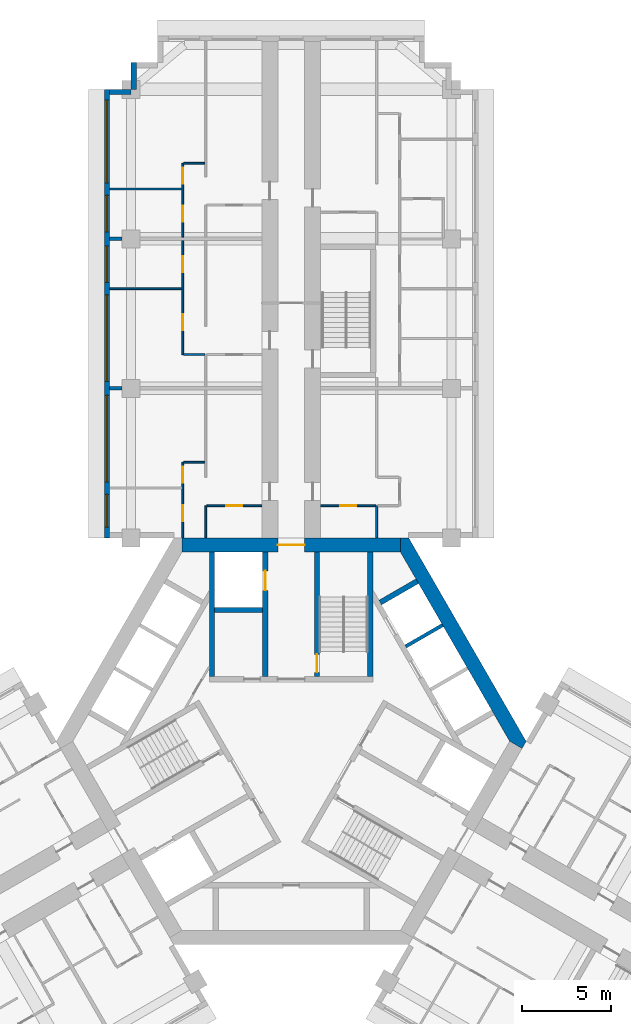
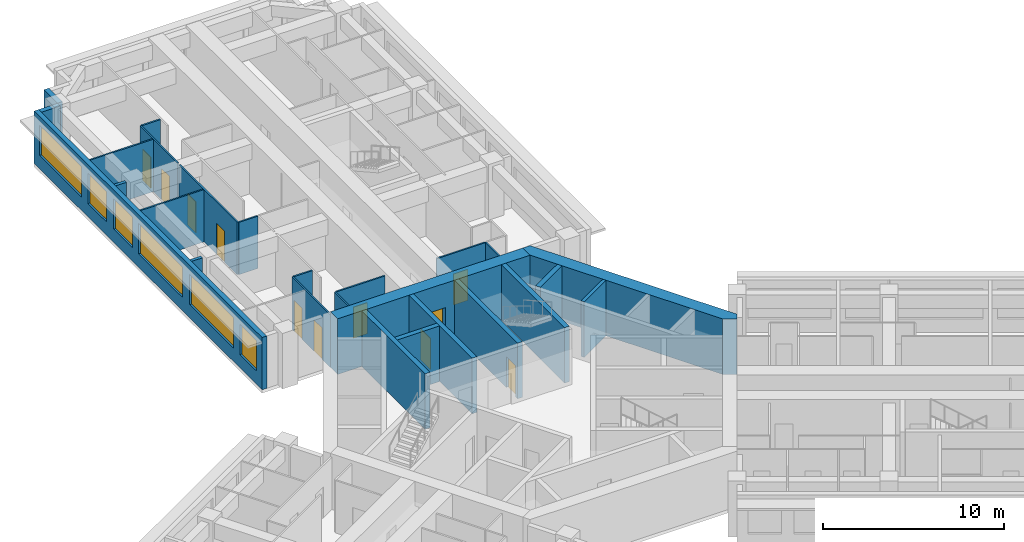
# One storey, part 8 of 12: 26 walls, 11 doors, 6 windows, 17 openings.
"""IFC4 building model written with IfcOpenShell, lengths in metres."""

from ifc_helpers import new_model, si_unit, direction, frame, frame_2d, origin, place, context, subcontext, project, spatial, polyline, rectangle, outline, extrude, material, layer, layer_set, type_object, element, fill, save


model = new_model("IFC4")

# Units and contexts
model_context = context("Model", 3, precision=1e-05, world=origin(), true_north=direction((0.0, 1.0)))
body_context = subcontext(model_context, "Body", "Model", "MODEL_VIEW")
ifc_project = project(units=[si_unit("LENGTHUNIT", "METRE"), si_unit("AREAUNIT", "SQUARE_METRE"), si_unit("VOLUMEUNIT", "CUBIC_METRE"), si_unit("PLANEANGLEUNIT", "RADIAN"), si_unit("MASSUNIT", "GRAM", prefix="KILO")], contexts=[model_context])

# Site, building, storey
site_placement = place(None, origin())
site = spatial("IfcSite", under=ifc_project, at=site_placement, CompositionType="ELEMENT")
building_placement = place(site_placement, origin())
building = spatial("IfcBuilding", under=site, at=building_placement, Name="Impinga Residences", CompositionType="ELEMENT")
storey_placement = place(building_placement, frame((0.0, 0.0, 166.0)))
storey = spatial("IfcBuildingStorey", under=building, at=storey_placement, Name="L41", CompositionType="ELEMENT", Elevation=166.0)

# Wall, openings, windows
ifc_material_1 = material(Name="Terracotta rainscreen on blockwork", Category="masonry")
ifc_layer_1 = layer(ifc_material_1, 0.300048828125)
ifc_layer_set_1 = layer_set([ifc_layer_1], Name="EW1 external wall, terracotta rainscreen on blockwork 300")
wall_type_1 = type_object("IfcWallType", Name="EW1 external wall, terracotta rainscreen on blockwork 300", PredefinedType="SOLIDWALL", material=ifc_layer_set_1)
wall_1_placement = place(storey_placement, frame((-10.35009765625, 11.431640625, 0.0), z_axis=(0.0, 0.0, 1.0), x_axis=(0.0, 1.0, 0.0)))
wall_1 = element("IfcWall", 1, at=wall_1_placement, inside=storey, type_object=wall_type_1, Name="External wall EW1 L41", PredefinedType="SOLIDWALL", context=body_context, shape_type="SweptSolid", body=[
    extrude(rectangle(XDim=25.199951171875, YDim=0.300048828125, at=frame_2d((12.60009765625, 0.0))), origin(), (0.0, 0.0, 1.0), 3.530029296875),
])
opening_1_placement = place(wall_1_placement, frame((0.60009765625, 0.0, 0.89990234375)))
opening_1 = element("IfcOpeningElement", 2, at=opening_1_placement, cuts=wall_1, Name="Opening W15", PredefinedType="OPENING", context=body_context, shape_type="SweptSolid", body=[
    extrude(rectangle(XDim=1.85009765625, YDim=2.050048828125, at=frame_2d((0.925048828125, 1.02490234375))), frame((0.0, 0.159912109375, 0.0), z_axis=(0.0, -1.0, 0.0), x_axis=(1.0, 0.0, 0.0)), (0.0, 0.0, 1.0), 0.320068359375),
])
opening_2_placement = place(wall_1_placement, frame((3.14990234375, 0.0, 0.89990234375)))
opening_2 = element("IfcOpeningElement", 3, at=opening_2_placement, cuts=wall_1, Name="Opening W6", PredefinedType="OPENING", context=body_context, shape_type="SweptSolid", body=[
    extrude(rectangle(XDim=4.85009765625, YDim=2.050048828125, at=frame_2d((2.425048828125, 1.02490234375))), frame((0.0, 0.159912109375, 0.0), z_axis=(0.0, -1.0, 0.0), x_axis=(1.0, 0.0, 0.0)), (0.0, 0.0, 1.0), 0.320068359375),
])
opening_3_placement = place(wall_1_placement, frame((8.800048828125, 0.0, 0.89990234375)))
opening_3 = element("IfcOpeningElement", 4, at=opening_3_placement, cuts=wall_1, Name="Opening W6", PredefinedType="OPENING", context=body_context, shape_type="SweptSolid", body=[
    extrude(rectangle(XDim=4.85009765625, YDim=2.050048828125, at=frame_2d((2.425048828125, 1.02490234375))), frame((0.0, 0.159912109375, 0.0), z_axis=(0.0, -1.0, 0.0), x_axis=(1.0, 0.0, 0.0)), (0.0, 0.0, 1.0), 0.320068359375),
])
opening_4_placement = place(wall_1_placement, frame((14.35009765625, 0.0, 0.89990234375)))
opening_4 = element("IfcOpeningElement", 5, at=opening_4_placement, cuts=wall_1, Name="Opening W14", PredefinedType="OPENING", context=body_context, shape_type="SweptSolid", body=[
    extrude(rectangle(XDim=2.050048828125, YDim=2.050048828125, at=frame_2d((1.02490234375, 1.02490234375))), frame((0.0, 0.159912109375, 0.0), z_axis=(0.0, -1.0, 0.0), x_axis=(1.0, 0.0, 0.0)), (0.0, 0.0, 1.0), 0.320068359375),
])
opening_5_placement = place(wall_1_placement, frame((17.199951171875, 0.0, 0.89990234375)))
opening_5 = element("IfcOpeningElement", 6, at=opening_5_placement, cuts=wall_1, Name="Opening W14", PredefinedType="OPENING", context=body_context, shape_type="SweptSolid", body=[
    extrude(rectangle(XDim=2.050048828125, YDim=2.050048828125, at=frame_2d((1.02490234375, 1.02490234375))), frame((0.0, 0.159912109375, 0.0), z_axis=(0.0, -1.0, 0.0), x_axis=(1.0, 0.0, 0.0)), (0.0, 0.0, 1.0), 0.320068359375),
])
opening_6_placement = place(wall_1_placement, frame((19.949951171875, 0.0, 0.89990234375)))
opening_6 = element("IfcOpeningElement", 7, at=opening_6_placement, cuts=wall_1, Name="Opening W10", PredefinedType="OPENING", context=body_context, shape_type="SweptSolid", body=[
    extrude(rectangle(XDim=4.64990234375, YDim=2.050048828125, at=frame_2d((2.324951171875, 1.02490234375))), frame((0.0, 0.159912109375, 0.0), z_axis=(0.0, -1.0, 0.0), x_axis=(1.0, 0.0, 0.0)), (0.0, 0.0, 1.0), 0.320068359375),
])
ifc_material_2 = material(Name="Aluminium window, clear double glazing", Category="aluminium")
window_type_1 = type_object("IfcWindowType", Name="W10 ribbon window 4650x2050", PartitioningType="SINGLE_PANEL", PredefinedType="WINDOW", material=ifc_material_2)
window_1_placement = place(opening_6_placement, origin())
window_1 = element("IfcWindow", 8, at=window_1_placement, inside=storey, type_object=window_type_1, Name="Window L41", OverallHeight=2.050048828125, OverallWidth=4.64990234375, PartitioningType="SINGLE_PANEL", PredefinedType="WINDOW", context=body_context, shape_type="SweptSolid", body=[
    extrude(rectangle(XDim=4.64990234375, YDim=2.050048828125, at=frame_2d((2.324951171875, 1.02490234375))), frame((0.0, 0.030029296875, 0.0), z_axis=(0.0, -1.0, 0.0), x_axis=(1.0, 0.0, 0.0)), (0.0, 0.0, 1.0), 0.06005859375),
])
fill(opening_6, window_1)
window_type_2 = type_object("IfcWindowType", Name="W14 ribbon window 2050x2050", PartitioningType="SINGLE_PANEL", PredefinedType="WINDOW", material=ifc_material_2)
window_2_placement = place(opening_4_placement, origin())
window_2 = element("IfcWindow", 9, at=window_2_placement, inside=storey, type_object=window_type_2, Name="Window L41", OverallHeight=2.050048828125, OverallWidth=2.050048828125, PartitioningType="SINGLE_PANEL", PredefinedType="WINDOW", context=body_context, shape_type="SweptSolid", body=[
    extrude(rectangle(XDim=2.050048828125, YDim=2.050048828125, at=frame_2d((1.02490234375, 1.02490234375))), frame((0.0, 0.030029296875, 0.0), z_axis=(0.0, -1.0, 0.0), x_axis=(1.0, 0.0, 0.0)), (0.0, 0.0, 1.0), 0.06005859375),
])
fill(opening_4, window_2)
window_3_placement = place(opening_5_placement, origin())
window_3 = element("IfcWindow", 10, at=window_3_placement, inside=storey, type_object=window_type_2, Name="Window L41", OverallHeight=2.050048828125, OverallWidth=2.050048828125, PartitioningType="SINGLE_PANEL", PredefinedType="WINDOW", context=body_context, shape_type="SweptSolid", body=[
    extrude(rectangle(XDim=2.050048828125, YDim=2.050048828125, at=frame_2d((1.02490234375, 1.02490234375))), frame((0.0, 0.030029296875, 0.0), z_axis=(0.0, -1.0, 0.0), x_axis=(1.0, 0.0, 0.0)), (0.0, 0.0, 1.0), 0.06005859375),
])
fill(opening_5, window_3)
window_type_3 = type_object("IfcWindowType", Name="W15 ribbon window 1850x2050", PartitioningType="SINGLE_PANEL", PredefinedType="WINDOW", material=ifc_material_2)
window_4_placement = place(opening_1_placement, origin())
window_4 = element("IfcWindow", 11, at=window_4_placement, inside=storey, type_object=window_type_3, Name="Window L41", OverallHeight=2.050048828125, OverallWidth=1.85009765625, PartitioningType="SINGLE_PANEL", PredefinedType="WINDOW", context=body_context, shape_type="SweptSolid", body=[
    extrude(rectangle(XDim=1.85009765625, YDim=2.050048828125, at=frame_2d((0.925048828125, 1.02490234375))), frame((0.0, 0.030029296875, 0.0), z_axis=(0.0, -1.0, 0.0), x_axis=(1.0, 0.0, 0.0)), (0.0, 0.0, 1.0), 0.06005859375),
])
fill(opening_1, window_4)
window_type_4 = type_object("IfcWindowType", Name="W6 ribbon window 4850x2050", PartitioningType="SINGLE_PANEL", PredefinedType="WINDOW", material=ifc_material_2)
window_5_placement = place(opening_2_placement, origin())
window_5 = element("IfcWindow", 12, at=window_5_placement, inside=storey, type_object=window_type_4, Name="Window L41", OverallHeight=2.050048828125, OverallWidth=4.85009765625, PartitioningType="SINGLE_PANEL", PredefinedType="WINDOW", context=body_context, shape_type="SweptSolid", body=[
    extrude(rectangle(XDim=4.85009765625, YDim=2.050048828125, at=frame_2d((2.425048828125, 1.02490234375))), frame((0.0, 0.030029296875, 0.0), z_axis=(0.0, -1.0, 0.0), x_axis=(1.0, 0.0, 0.0)), (0.0, 0.0, 1.0), 0.06005859375),
])
fill(opening_2, window_5)
window_6_placement = place(opening_3_placement, origin())
window_6 = element("IfcWindow", 13, at=window_6_placement, inside=storey, type_object=window_type_4, Name="Window L41", OverallHeight=2.050048828125, OverallWidth=4.85009765625, PartitioningType="SINGLE_PANEL", PredefinedType="WINDOW", context=body_context, shape_type="SweptSolid", body=[
    extrude(rectangle(XDim=4.85009765625, YDim=2.050048828125, at=frame_2d((2.425048828125, 1.02490234375))), frame((0.0, 0.030029296875, 0.0), z_axis=(0.0, -1.0, 0.0), x_axis=(1.0, 0.0, 0.0)), (0.0, 0.0, 1.0), 0.06005859375),
])
fill(opening_3, window_6)

# Walls
wall_2_placement = place(storey_placement, frame((-10.199951171875, 36.4814453125, 0.0), z_axis=(0.0, 0.0, 1.0), x_axis=(1.0, 0.0, 0.0)))
element("IfcWall", 14, at=wall_2_placement, inside=storey, type_object=wall_type_1, Name="External wall EW1 L41", PredefinedType="SOLIDWALL", context=body_context, shape_type="SweptSolid", body=[
    extrude(rectangle(XDim=1.199951171875, YDim=0.300048828125, at=frame_2d((0.60009765625, 0.0))), origin(), (0.0, 0.0, 1.0), 3.530029296875),
])
wall_3_placement = place(storey_placement, frame((-8.85009765625, 36.636474609375, 0.0), z_axis=(0.0, 0.0, 1.0), x_axis=(0.0, 1.0, 0.0)))
element("IfcWall", 15, at=wall_3_placement, inside=storey, type_object=wall_type_1, Name="External wall EW1 L41", PredefinedType="SOLIDWALL", context=body_context, shape_type="SweptSolid", body=[
    extrude(rectangle(XDim=1.4951171875, YDim=0.300048828125, at=frame_2d((0.74755859375, 0.0))), origin(), (0.0, 0.0, 1.0), 3.530029296875),
])
ifc_material_3 = material(Name="Gypsum board on steel studs", Category="steel")
ifc_layer_2 = layer(ifc_material_3, 0.10009765625)
ifc_layer_set_2 = layer_set([ifc_layer_2], Name="Gypsum board on steel studs")
wall_type_2 = type_object("IfcWallType", Name="IP1 partition 100", PredefinedType="PARTITIONING", material=ifc_layer_set_2)
wall_4_placement = place(storey_placement, frame((-4.800048828125, 11.431640625, 0.0), z_axis=(0.0, 0.0, 1.0), x_axis=(0.0, 1.0, 0.0)))
element("IfcWall", 16, at=wall_4_placement, inside=storey, type_object=wall_type_2, Name="Partition L41-NA1:DIV0", PredefinedType="PARTITIONING", context=body_context, shape_type="SweptSolid", body=[
    extrude(rectangle(XDim=1.7998046875, YDim=0.10009765625, at=frame_2d((0.89990234375, 0.0))), origin(), (0.0, 0.0, 1.0), 3.530029296875),
])

# Wall, openings, doors
wall_5_placement = place(storey_placement, frame((-6.10009765625, 11.431640625, 0.0), z_axis=(0.0, 0.0, 1.0), x_axis=(0.0, 1.0, 0.0)))
wall_5 = element("IfcWall", 17, at=wall_5_placement, inside=storey, type_object=wall_type_2, Name="Partition L41-NA1:STRIP", PredefinedType="PARTITIONING", context=body_context, shape_type="SweptSolid", body=[
    extrude(rectangle(XDim=4.25, YDim=0.10009765625, at=frame_2d((2.125, 0.0))), origin(), (0.0, 0.0, 1.0), 3.530029296875),
])
opening_7_placement = place(wall_5_placement, frame((0.925048828125, 0.0, 0.0)))
opening_7 = element("IfcOpeningElement", 18, at=opening_7_placement, cuts=wall_5, Name="Opening D2", PredefinedType="OPENING", context=body_context, shape_type="SweptSolid", body=[
    extrude(rectangle(XDim=0.89990234375, YDim=2.10009765625, at=frame_2d((0.449951171875, 1.050048828125))), frame((0.0, 0.06005859375, 0.0), z_axis=(0.0, -1.0, 0.0), x_axis=(1.0, 0.0, 0.0)), (0.0, 0.0, 1.0), 0.1201171875),
])
opening_8_placement = place(wall_5_placement, frame((3.10009765625, 0.0, 0.0)))
opening_8 = element("IfcOpeningElement", 19, at=opening_8_placement, cuts=wall_5, Name="Opening D2", PredefinedType="OPENING", context=body_context, shape_type="SweptSolid", body=[
    extrude(rectangle(XDim=0.89990234375, YDim=2.10009765625, at=frame_2d((0.449951171875, 1.050048828125))), frame((0.0, 0.06005859375, 0.0), z_axis=(0.0, -1.0, 0.0), x_axis=(1.0, 0.0, 0.0)), (0.0, 0.0, 1.0), 0.1201171875),
])
ifc_material_4 = material(Name="Timber door set", Category="wood")
door_type_1 = type_object("IfcDoorType", Name="D2 internal door 900x2100", OperationType="SINGLE_SWING_LEFT", PredefinedType="DOOR", material=ifc_material_4)
door_1_placement = place(opening_7_placement, origin())
door_1 = element("IfcDoor", 20, at=door_1_placement, inside=storey, type_object=door_type_1, Name="Apartment L41-NA1 room door", OperationType="SINGLE_SWING_LEFT", OverallHeight=2.10009765625, OverallWidth=0.89990234375, PredefinedType="DOOR", context=body_context, shape_type="SweptSolid", body=[
    extrude(rectangle(XDim=0.89990234375, YDim=2.10009765625, at=frame_2d((0.449951171875, 1.050048828125))), frame((0.0, 0.02490234375, 0.0), z_axis=(0.0, -1.0, 0.0), x_axis=(1.0, 0.0, 0.0)), (0.0, 0.0, 1.0), 0.050048828125),
])
fill(opening_7, door_1)
door_2_placement = place(opening_8_placement, origin())
door_2 = element("IfcDoor", 21, at=door_2_placement, inside=storey, type_object=door_type_1, Name="Apartment L41-NA1 room door", OperationType="SINGLE_SWING_RIGHT", OverallHeight=2.10009765625, OverallWidth=0.89990234375, PredefinedType="DOOR", context=body_context, shape_type="SweptSolid", body=[
    extrude(rectangle(XDim=0.89990234375, YDim=2.10009765625, at=frame_2d((0.449951171875, 1.050048828125))), frame((0.0, 0.02490234375, 0.0), z_axis=(0.0, -1.0, 0.0), x_axis=(1.0, 0.0, 0.0)), (0.0, 0.0, 1.0), 0.050048828125),
])
fill(opening_8, door_2)

# Wall
wall_6_placement = place(storey_placement, frame((-4.85009765625, 15.681640625, 0.0), z_axis=(0.0, 0.0, 1.0), x_axis=(-1.0, 0.0, 0.0)))
element("IfcWall", 22, at=wall_6_placement, inside=storey, type_object=wall_type_2, Name="Partition L41-NA1:SE1", PredefinedType="PARTITIONING", context=body_context, shape_type="SweptSolid", body=[
    extrude(rectangle(XDim=1.199951171875, YDim=0.10009765625, at=frame_2d((0.60009765625, 0.0))), origin(), (0.0, 0.0, 1.0), 3.530029296875),
])

# Wall, opening, door
wall_7_placement = place(storey_placement, frame((-1.64990234375, 13.2314453125, 0.0), z_axis=(0.0, 0.0, 1.0), x_axis=(-1.0, 0.0, 0.0)))
wall_7 = element("IfcWall", 23, at=wall_7_placement, inside=storey, type_object=wall_type_2, Name="Partition L41-NA1:IB1", PredefinedType="PARTITIONING", context=body_context, shape_type="SweptSolid", body=[
    extrude(rectangle(XDim=3.10009765625, YDim=0.10009765625, at=frame_2d((1.550048828125, 0.0))), origin(), (0.0, 0.0, 1.0), 3.530029296875),
])
opening_9_placement = place(wall_7_placement, frame((1.10009765625, 0.0, 0.0)))
opening_9 = element("IfcOpeningElement", 24, at=opening_9_placement, cuts=wall_7, Name="Opening D2", PredefinedType="OPENING", context=body_context, shape_type="SweptSolid", body=[
    extrude(rectangle(XDim=0.89990234375, YDim=2.10009765625, at=frame_2d((0.449951171875, 1.050048828125))), frame((0.0, 0.06005859375, 0.0), z_axis=(0.0, -1.0, 0.0), x_axis=(1.0, 0.0, 0.0)), (0.0, 0.0, 1.0), 0.1201171875),
])
door_3_placement = place(opening_9_placement, origin())
door_3 = element("IfcDoor", 25, at=door_3_placement, inside=storey, type_object=door_type_1, Name="Apartment L41-NA1 bathroom door", OperationType="SINGLE_SWING_LEFT", OverallHeight=2.10009765625, OverallWidth=0.89990234375, PredefinedType="DOOR", context=body_context, shape_type="SweptSolid", body=[
    extrude(rectangle(XDim=0.89990234375, YDim=2.10009765625, at=frame_2d((0.449951171875, 1.050048828125))), frame((0.0, 0.02490234375, 0.0), z_axis=(0.0, -1.0, 0.0), x_axis=(1.0, 0.0, 0.0)), (0.0, 0.0, 1.0), 0.050048828125),
])
fill(opening_9, door_3)

# Wall, openings, doors
wall_8_placement = place(storey_placement, frame((-6.10009765625, 21.7314453125, 0.0), z_axis=(0.0, 0.0, 1.0), x_axis=(0.0, 1.0, 0.0)))
wall_8 = element("IfcWall", 26, at=wall_8_placement, inside=storey, type_object=wall_type_2, Name="Partition L41-NA2:STRIP", PredefinedType="PARTITIONING", context=body_context, shape_type="SweptSolid", body=[
    extrude(rectangle(XDim=6.400146484375, YDim=0.10009765625, at=frame_2d((3.2001953125, 0.0))), origin(), (0.0, 0.0, 1.0), 3.530029296875),
])
opening_10_placement = place(wall_8_placement, frame((1.375, 0.0, 0.0)))
opening_10 = element("IfcOpeningElement", 27, at=opening_10_placement, cuts=wall_8, Name="Opening D2", PredefinedType="OPENING", context=body_context, shape_type="SweptSolid", body=[
    extrude(rectangle(XDim=0.89990234375, YDim=2.10009765625, at=frame_2d((0.449951171875, 1.050048828125))), frame((0.0, 0.06005859375, 0.0), z_axis=(0.0, -1.0, 0.0), x_axis=(1.0, 0.0, 0.0)), (0.0, 0.0, 1.0), 0.1201171875),
])
opening_11_placement = place(wall_8_placement, frame((4.625, 0.0, 0.0)))
opening_11 = element("IfcOpeningElement", 28, at=opening_11_placement, cuts=wall_8, Name="Opening D2", PredefinedType="OPENING", context=body_context, shape_type="SweptSolid", body=[
    extrude(rectangle(XDim=0.89990234375, YDim=2.10009765625, at=frame_2d((0.449951171875, 1.050048828125))), frame((0.0, 0.06005859375, 0.0), z_axis=(0.0, -1.0, 0.0), x_axis=(1.0, 0.0, 0.0)), (0.0, 0.0, 1.0), 0.1201171875),
])
door_4_placement = place(opening_10_placement, origin())
door_4 = element("IfcDoor", 29, at=door_4_placement, inside=storey, type_object=door_type_1, Name="Apartment L41-NA2 room door", OperationType="SINGLE_SWING_LEFT", OverallHeight=2.10009765625, OverallWidth=0.89990234375, PredefinedType="DOOR", context=body_context, shape_type="SweptSolid", body=[
    extrude(rectangle(XDim=0.89990234375, YDim=2.10009765625, at=frame_2d((0.449951171875, 1.050048828125))), frame((0.0, 0.02490234375, 0.0), z_axis=(0.0, -1.0, 0.0), x_axis=(1.0, 0.0, 0.0)), (0.0, 0.0, 1.0), 0.050048828125),
])
fill(opening_10, door_4)
door_5_placement = place(opening_11_placement, origin())
door_5 = element("IfcDoor", 30, at=door_5_placement, inside=storey, type_object=door_type_1, Name="Apartment L41-NA2 room door", OperationType="SINGLE_SWING_RIGHT", OverallHeight=2.10009765625, OverallWidth=0.89990234375, PredefinedType="DOOR", context=body_context, shape_type="SweptSolid", body=[
    extrude(rectangle(XDim=0.89990234375, YDim=2.10009765625, at=frame_2d((0.449951171875, 1.050048828125))), frame((0.0, 0.02490234375, 0.0), z_axis=(0.0, -1.0, 0.0), x_axis=(1.0, 0.0, 0.0)), (0.0, 0.0, 1.0), 0.050048828125),
])
fill(opening_11, door_5)

# Walls
wall_9_placement = place(storey_placement, frame((-4.85009765625, 21.7314453125, 0.0), z_axis=(0.0, 0.0, 1.0), x_axis=(-1.0, 0.0, 0.0)))
element("IfcWall", 31, at=wall_9_placement, inside=storey, type_object=wall_type_2, Name="Partition L41-NA2:SE0", PredefinedType="PARTITIONING", context=body_context, shape_type="SweptSolid", body=[
    extrude(rectangle(XDim=1.199951171875, YDim=0.10009765625, at=frame_2d((0.60009765625, 0.0))), origin(), (0.0, 0.0, 1.0), 3.530029296875),
])
wall_10_placement = place(storey_placement, frame((-6.14990234375, 25.431640625, 0.0), z_axis=(0.0, 0.0, 1.0), x_axis=(-1.0, 0.0, 0.0)))
element("IfcWall", 32, at=wall_10_placement, inside=storey, type_object=wall_type_2, Name="Partition L41-NA2:OB1", PredefinedType="PARTITIONING", context=body_context, shape_type="SweptSolid", body=[
    extrude(rectangle(XDim=4.050048828125, YDim=0.10009765625, at=frame_2d((2.02490234375, 0.0))), origin(), (0.0, 0.0, 1.0), 3.530029296875),
])

# Wall, openings, doors
wall_11_placement = place(storey_placement, frame((-6.10009765625, 28.33154296875, 0.0), z_axis=(0.0, 0.0, 1.0), x_axis=(0.0, 1.0, 0.0)))
wall_11 = element("IfcWall", 33, at=wall_11_placement, inside=storey, type_object=wall_type_2, Name="Partition L41-NA3:STRIP", PredefinedType="PARTITIONING", context=body_context, shape_type="SweptSolid", body=[
    extrude(rectangle(XDim=4.14990234375, YDim=0.10009765625, at=frame_2d((2.074951171875, 0.0))), origin(), (0.0, 0.0, 1.0), 3.530029296875),
])
opening_12_placement = place(wall_11_placement, frame((0.875, 0.0, 0.0)))
opening_12 = element("IfcOpeningElement", 34, at=opening_12_placement, cuts=wall_11, Name="Opening D2", PredefinedType="OPENING", context=body_context, shape_type="SweptSolid", body=[
    extrude(rectangle(XDim=0.89990234375, YDim=2.10009765625, at=frame_2d((0.449951171875, 1.050048828125))), frame((0.0, 0.06005859375, 0.0), z_axis=(0.0, -1.0, 0.0), x_axis=(1.0, 0.0, 0.0)), (0.0, 0.0, 1.0), 0.1201171875),
])
opening_13_placement = place(wall_11_placement, frame((3.0, 0.0, 0.0)))
opening_13 = element("IfcOpeningElement", 35, at=opening_13_placement, cuts=wall_11, Name="Opening D2", PredefinedType="OPENING", context=body_context, shape_type="SweptSolid", body=[
    extrude(rectangle(XDim=0.89990234375, YDim=2.10009765625, at=frame_2d((0.449951171875, 1.050048828125))), frame((0.0, 0.06005859375, 0.0), z_axis=(0.0, -1.0, 0.0), x_axis=(1.0, 0.0, 0.0)), (0.0, 0.0, 1.0), 0.1201171875),
])
door_6_placement = place(opening_12_placement, origin())
door_6 = element("IfcDoor", 36, at=door_6_placement, inside=storey, type_object=door_type_1, Name="Apartment L41-NA3 room door", OperationType="SINGLE_SWING_LEFT", OverallHeight=2.10009765625, OverallWidth=0.89990234375, PredefinedType="DOOR", context=body_context, shape_type="SweptSolid", body=[
    extrude(rectangle(XDim=0.89990234375, YDim=2.10009765625, at=frame_2d((0.449951171875, 1.050048828125))), frame((0.0, 0.02490234375, 0.0), z_axis=(0.0, -1.0, 0.0), x_axis=(1.0, 0.0, 0.0)), (0.0, 0.0, 1.0), 0.050048828125),
])
fill(opening_12, door_6)
door_7_placement = place(opening_13_placement, origin())
door_7 = element("IfcDoor", 37, at=door_7_placement, inside=storey, type_object=door_type_1, Name="Apartment L41-NA3 room door", OperationType="SINGLE_SWING_RIGHT", OverallHeight=2.10009765625, OverallWidth=0.89990234375, PredefinedType="DOOR", context=body_context, shape_type="SweptSolid", body=[
    extrude(rectangle(XDim=0.89990234375, YDim=2.10009765625, at=frame_2d((0.449951171875, 1.050048828125))), frame((0.0, 0.02490234375, 0.0), z_axis=(0.0, -1.0, 0.0), x_axis=(1.0, 0.0, 0.0)), (0.0, 0.0, 1.0), 0.050048828125),
])
fill(opening_13, door_7)

# Walls
wall_12_placement = place(storey_placement, frame((-4.85009765625, 32.4814453125, 0.0), z_axis=(0.0, 0.0, 1.0), x_axis=(-1.0, 0.0, 0.0)))
element("IfcWall", 38, at=wall_12_placement, inside=storey, type_object=wall_type_2, Name="Partition L41-NA3:SE1", PredefinedType="PARTITIONING", context=body_context, shape_type="SweptSolid", body=[
    extrude(rectangle(XDim=1.199951171875, YDim=0.10009765625, at=frame_2d((0.60009765625, 0.0))), origin(), (0.0, 0.0, 1.0), 3.530029296875),
])
wall_13_placement = place(storey_placement, frame((-6.14990234375, 31.031494140625, 0.0), z_axis=(0.0, 0.0, 1.0), x_axis=(-1.0, 0.0, 0.0)))
element("IfcWall", 39, at=wall_13_placement, inside=storey, type_object=wall_type_2, Name="Partition L41-NA3:OB1", PredefinedType="PARTITIONING", context=body_context, shape_type="SweptSolid", body=[
    extrude(rectangle(XDim=4.050048828125, YDim=0.10009765625, at=frame_2d((2.02490234375, 0.0))), origin(), (0.0, 0.0, 1.0), 3.530029296875),
])
wall_14_placement = place(storey_placement, frame((4.800048828125, 11.431640625, 0.0), z_axis=(0.0, 0.0, 1.0), x_axis=(0.0, 1.0, 0.0)))
element("IfcWall", 40, at=wall_14_placement, inside=storey, type_object=wall_type_2, Name="Partition L41-NF1:DIV0", PredefinedType="PARTITIONING", context=body_context, shape_type="SweptSolid", body=[
    extrude(rectangle(XDim=1.7998046875, YDim=0.10009765625, at=frame_2d((0.89990234375, 0.0))), origin(), (0.0, 0.0, 1.0), 3.530029296875),
])

# Wall, opening, door
wall_15_placement = place(storey_placement, frame((1.64990234375, 13.2314453125, 0.0), z_axis=(0.0, 0.0, 1.0), x_axis=(1.0, 0.0, 0.0)))
wall_15 = element("IfcWall", 41, at=wall_15_placement, inside=storey, type_object=wall_type_2, Name="Partition L41-NF1:IB1", PredefinedType="PARTITIONING", context=body_context, shape_type="SweptSolid", body=[
    extrude(rectangle(XDim=3.10009765625, YDim=0.10009765625, at=frame_2d((1.550048828125, 0.0))), origin(), (0.0, 0.0, 1.0), 3.530029296875),
])
opening_14_placement = place(wall_15_placement, frame((1.10009765625, 0.0, 0.0)))
opening_14 = element("IfcOpeningElement", 42, at=opening_14_placement, cuts=wall_15, Name="Opening D2", PredefinedType="OPENING", context=body_context, shape_type="SweptSolid", body=[
    extrude(rectangle(XDim=0.89990234375, YDim=2.10009765625, at=frame_2d((0.449951171875, 1.050048828125))), frame((0.0, 0.06005859375, 0.0), z_axis=(0.0, -1.0, 0.0), x_axis=(1.0, 0.0, 0.0)), (0.0, 0.0, 1.0), 0.1201171875),
])
door_8_placement = place(opening_14_placement, origin())
door_8 = element("IfcDoor", 43, at=door_8_placement, inside=storey, type_object=door_type_1, Name="Apartment L41-NF1 bathroom door", OperationType="SINGLE_SWING_LEFT", OverallHeight=2.10009765625, OverallWidth=0.89990234375, PredefinedType="DOOR", context=body_context, shape_type="SweptSolid", body=[
    extrude(rectangle(XDim=0.89990234375, YDim=2.10009765625, at=frame_2d((0.449951171875, 1.050048828125))), frame((0.0, 0.02490234375, 0.0), z_axis=(0.0, -1.0, 0.0), x_axis=(1.0, 0.0, 0.0)), (0.0, 0.0, 1.0), 0.050048828125),
])
fill(opening_14, door_8)

# Walls
ifc_material_5 = material(Name="Concrete blockwork", Category="masonry")
ifc_layer_3 = layer(ifc_material_5, 0.199951171875)
ifc_layer_set_3 = layer_set([ifc_layer_3], Name="PW1 party wall between apartments 200")
wall_type_3 = type_object("IfcWallType", Name="PW1 party wall between apartments 200", PredefinedType="SOLIDWALL", material=ifc_layer_set_3)
for number, where, z_axis, x_axis, name in (
    (44, (-9.5, 19.83154296875, 0.0), (0.0, 0.0, 1.0), (-1.0, 0.0, 0.0), "Party wall between apartments L41-NA1:PARTYb"),
    (45, (-9.5, 28.2314453125, 0.0), (0.0, 0.0, 1.0), (-1.0, 0.0, 0.0), "Party wall between apartments L41-NA2:PARTYb"),
):
    element("IfcWall", number, at=place(storey_placement, frame(where, z_axis=z_axis, x_axis=x_axis)), inside=storey, type_object=wall_type_3, Name=name, PredefinedType="SOLIDWALL", context=body_context, shape_type="SweptSolid", body=[
        extrude(rectangle(XDim=0.699951171875, YDim=0.199951171875, at=frame_2d((0.35009765625, 0.0))), origin(), (0.0, 0.0, 1.0), 3.530029296875),
    ])

# Wall, opening, door
ifc_material_6 = material(Name="Concrete C60/75", Category="concrete")
ifc_layer_4 = layer(ifc_material_6, 0.800048828125)
ifc_layer_set_4 = layer_set([ifc_layer_4], Name="Concrete C60/75")
wall_type_4 = type_object("IfcWallType", Name="SW2 core wall 800", PredefinedType="SHEAR", material=ifc_layer_set_4)
wall_16_placement = place(storey_placement, frame((-6.13818359375, 11.031494140625, 0.0), z_axis=(0.0, 0.0, 1.0), x_axis=(1.0, 0.0, 0.0)))
wall_16 = element("IfcWall", 46, at=wall_16_placement, inside=storey, type_object=wall_type_4, Name="Core wall SW2 N:FACE L41", PredefinedType="SHEAR", context=body_context, shape_type="SweptSolid", body=[
    extrude(rectangle(XDim=12.2763671875, YDim=0.800048828125, at=frame_2d((6.13818359375, 0.0))), origin(), (0.0, 0.0, 1.0), 3.75),
])
opening_15_placement = place(wall_16_placement, frame((5.38818359375, 0.0, 0.0)))
opening_15 = element("IfcOpeningElement", 47, at=opening_15_placement, cuts=wall_16, Name="Opening D4", PredefinedType="OPENING", context=body_context, shape_type="SweptSolid", body=[
    extrude(rectangle(XDim=1.5, YDim=2.10009765625, at=frame_2d((0.75, 1.050048828125))), frame((0.0, 0.409912109375, 0.0), z_axis=(0.0, -1.0, 0.0), x_axis=(1.0, 0.0, 0.0)), (0.0, 0.0, 1.0), 0.820068359375),
])
door_type_2 = type_object("IfcDoorType", Name="D4 lobby door pair 1500x2100", OperationType="DOUBLE_DOOR_DOUBLE_SWING", PredefinedType="DOOR", material=ifc_material_4)
door_9_placement = place(opening_15_placement, origin())
door_9 = element("IfcDoor", 48, at=door_9_placement, inside=storey, type_object=door_type_2, Name="Lobby door N", OperationType="DOUBLE_DOOR_DOUBLE_SWING", OverallHeight=2.10009765625, OverallWidth=1.5, PredefinedType="DOOR", context=body_context, shape_type="SweptSolid", body=[
    extrude(rectangle(XDim=1.5, YDim=2.10009765625, at=frame_2d((0.75, 1.050048828125))), frame((0.0, 0.02490234375, 0.0), z_axis=(0.0, -1.0, 0.0), x_axis=(1.0, 0.0, 0.0)), (0.0, 0.0, 1.0), 0.050048828125),
])
fill(opening_15, door_9)

# Wall
wall_17_placement = place(storey_placement, origin())
element("IfcWall", 49, at=wall_17_placement, inside=storey, type_object=wall_type_4, Name="Core wall SW2 W:EXPOSED L41", PredefinedType="SHEAR", context=body_context, shape_type="SweptSolid", body=[
    extrude(outline(polyline([(13.199951171875, 0.0), (6.60009765625, 11.431640625), (6.13818359375, 11.431640625), (6.13818359375, 10.631591796875), (12.276123046875, 0.0), (12.968994140625, -0.39990234375), (13.199951171875, 0.0)])), origin(), (0.0, 0.0, 1.0), 3.75),
])

# Wall, opening, door
ifc_material_7 = material(Name="Concrete C70/85", Category="concrete")
ifc_layer_5 = layer(ifc_material_7, 0.300048828125)
ifc_layer_set_5 = layer_set([ifc_layer_5], Name="Concrete C70/85")
wall_type_5 = type_object("IfcWallType", Name="SW5 core inner wall, stairs, shafts and lobbies 300", PredefinedType="SHEAR", material=ifc_layer_set_5)
wall_18_placement = place(storey_placement, frame((1.449951171875, 3.6298828125, 0.0), z_axis=(0.0, 0.0, 1.0), x_axis=(0.0, 1.0, 0.0)))
wall_18 = element("IfcWall", 50, at=wall_18_placement, inside=storey, type_object=wall_type_5, Name="Core wall SW5 N:ST-IN L41", PredefinedType="SHEAR", context=body_context, shape_type="SweptSolid", body=[
    extrude(rectangle(XDim=7.001708984375, YDim=0.300048828125, at=frame_2d((3.5009765625, 0.0))), origin(), (0.0, 0.0, 1.0), 3.75),
])
opening_16_placement = place(wall_18_placement, frame((0.25, 0.0, 0.0)))
opening_16 = element("IfcOpeningElement", 51, at=opening_16_placement, cuts=wall_18, Name="Opening D5", PredefinedType="OPENING", context=body_context, shape_type="SweptSolid", body=[
    extrude(rectangle(XDim=1.0, YDim=2.10009765625, at=frame_2d((0.5, 1.050048828125))), frame((0.0, 0.159912109375, 0.0), z_axis=(0.0, -1.0, 0.0), x_axis=(1.0, 0.0, 0.0)), (0.0, 0.0, 1.0), 0.320068359375),
])
door_type_3 = type_object("IfcDoorType", Name="D5 stair door 1000x2100", OperationType="SINGLE_SWING_LEFT", PredefinedType="DOOR", material=ifc_material_4)
door_10_placement = place(opening_16_placement, origin())
door_10 = element("IfcDoor", 52, at=door_10_placement, inside=storey, type_object=door_type_3, Name="Stair door N", OperationType="SINGLE_SWING_LEFT", OverallHeight=2.10009765625, OverallWidth=1.0, PredefinedType="DOOR", context=body_context, shape_type="SweptSolid", body=[
    extrude(rectangle(XDim=1.0, YDim=2.10009765625, at=frame_2d((0.5, 1.050048828125))), frame((0.0, 0.02490234375, 0.0), z_axis=(0.0, -1.0, 0.0), x_axis=(1.0, 0.0, 0.0)), (0.0, 0.0, 1.0), 0.050048828125),
])
fill(opening_16, door_10)

# Wall
wall_19_placement = place(storey_placement, frame((4.449951171875, 3.6298828125, 0.0), z_axis=(0.0, 0.0, 1.0), x_axis=(0.0, 1.0, 0.0)))
element("IfcWall", 53, at=wall_19_placement, inside=storey, type_object=wall_type_5, Name="Core wall SW5 N:ST-OUT L41", PredefinedType="SHEAR", context=body_context, shape_type="SweptSolid", body=[
    extrude(rectangle(XDim=7.001708984375, YDim=0.300048828125, at=frame_2d((3.5009765625, 0.0))), origin(), (0.0, 0.0, 1.0), 3.75),
])

# Wall, opening, door
wall_20_placement = place(storey_placement, frame((-1.449951171875, 3.6298828125, 0.0), z_axis=(0.0, 0.0, 1.0), x_axis=(0.0, 1.0, 0.0)))
wall_20 = element("IfcWall", 54, at=wall_20_placement, inside=storey, type_object=wall_type_5, Name="Core wall SW5 N:FF-IN L41", PredefinedType="SHEAR", context=body_context, shape_type="SweptSolid", body=[
    extrude(rectangle(XDim=7.001708984375, YDim=0.300048828125, at=frame_2d((3.5009765625, 0.0))), origin(), (0.0, 0.0, 1.0), 3.75),
])
opening_17_placement = place(wall_20_placement, frame((4.85009765625, 0.0, 0.0)))
opening_17 = element("IfcOpeningElement", 55, at=opening_17_placement, cuts=wall_20, Name="Opening LD2", PredefinedType="OPENING", context=body_context, shape_type="SweptSolid", body=[
    extrude(rectangle(XDim=1.10009765625, YDim=2.10009765625, at=frame_2d((0.550048828125, 1.050048828125))), frame((0.0, 0.159912109375, 0.0), z_axis=(0.0, -1.0, 0.0), x_axis=(1.0, 0.0, 0.0)), (0.0, 0.0, 1.0), 0.320068359375),
])
ifc_material_8 = material(Name="Steel lift landing door", Category="steel")
door_type_4 = type_object("IfcDoorType", Name="LD2 firefighting lift landing door 1100x2100", OperationType="DOUBLE_DOOR_SLIDING", PredefinedType="DOOR", material=ifc_material_8)
door_11_placement = place(opening_17_placement, origin())
door_11 = element("IfcDoor", 56, at=door_11_placement, inside=storey, type_object=door_type_4, Name="Firefighting lift landing door F1", OperationType="DOUBLE_DOOR_SLIDING", OverallHeight=2.10009765625, OverallWidth=1.10009765625, PredefinedType="DOOR", context=body_context, shape_type="SweptSolid", body=[
    extrude(rectangle(XDim=1.10009765625, YDim=2.10009765625, at=frame_2d((0.550048828125, 1.050048828125))), frame((0.0, 0.02490234375, 0.0), z_axis=(0.0, -1.0, 0.0), x_axis=(1.0, 0.0, 0.0)), (0.0, 0.0, 1.0), 0.050048828125),
])
fill(opening_17, door_11)

# Walls
wall_21_placement = place(storey_placement, frame((-4.449951171875, 3.6298828125, 0.0), z_axis=(0.0, 0.0, 1.0), x_axis=(0.0, 1.0, 0.0)))
element("IfcWall", 57, at=wall_21_placement, inside=storey, type_object=wall_type_5, Name="Core wall SW5 N:FF-OUT L41", PredefinedType="SHEAR", context=body_context, shape_type="SweptSolid", body=[
    extrude(rectangle(XDim=7.001708984375, YDim=0.300048828125, at=frame_2d((3.5009765625, 0.0))), origin(), (0.0, 0.0, 1.0), 3.75),
])
wall_22_placement = place(storey_placement, frame((-4.300048828125, 7.3798828125, 0.0), z_axis=(0.0, 0.0, 1.0), x_axis=(1.0, 0.0, 0.0)))
element("IfcWall", 58, at=wall_22_placement, inside=storey, type_object=wall_type_5, Name="Core wall SW5 N:FF-RS L41", PredefinedType="SHEAR", context=body_context, shape_type="SweptSolid", body=[
    extrude(rectangle(XDim=2.699951171875, YDim=0.300048828125, at=frame_2d((1.35009765625, 0.0))), origin(), (0.0, 0.0, 1.0), 3.75),
])
wall_23_placement = place(storey_placement, frame((5.003662109375, 7.79638671875, 0.0), z_axis=(0.0, 0.0, 1.0), x_axis=(0.866050077142, 0.499957262057, 0.0)))
element("IfcWall", 59, at=wall_23_placement, inside=storey, type_object=wall_type_5, Name="Core wall SW5 W:BANK-L L41", PredefinedType="SHEAR", context=body_context, shape_type="SweptSolid", body=[
    extrude(rectangle(XDim=2.400146484375, YDim=0.300048828125, at=frame_2d((1.2001953125, 0.0))), origin(), (0.0, 0.0, 1.0), 3.75),
])
ifc_layer_6 = layer(ifc_material_7, 0.199951171875)
ifc_layer_set_6 = layer_set([ifc_layer_6], Name="Concrete C70/85")
wall_type_6 = type_object("IfcWallType", Name="SW6 lift shaft divider wall 200", PredefinedType="SHEAR", material=ifc_layer_set_6)
wall_24_placement = place(storey_placement, frame((6.4287109375, 5.328125, 0.0), z_axis=(0.0, 0.0, 1.0), x_axis=(0.865980596518, 0.500077600433, 0.0)))
element("IfcWall", 60, at=wall_24_placement, inside=storey, type_object=wall_type_6, Name="Core wall SW6 W:BANK-D1 L41", PredefinedType="SHEAR", context=body_context, shape_type="SweptSolid", body=[
    extrude(rectangle(XDim=2.39990234375, YDim=0.199951171875, at=frame_2d((1.199951171875, 0.0))), origin(), (0.0, 0.0, 1.0), 3.75),
])

save(model, "model.ifc")
